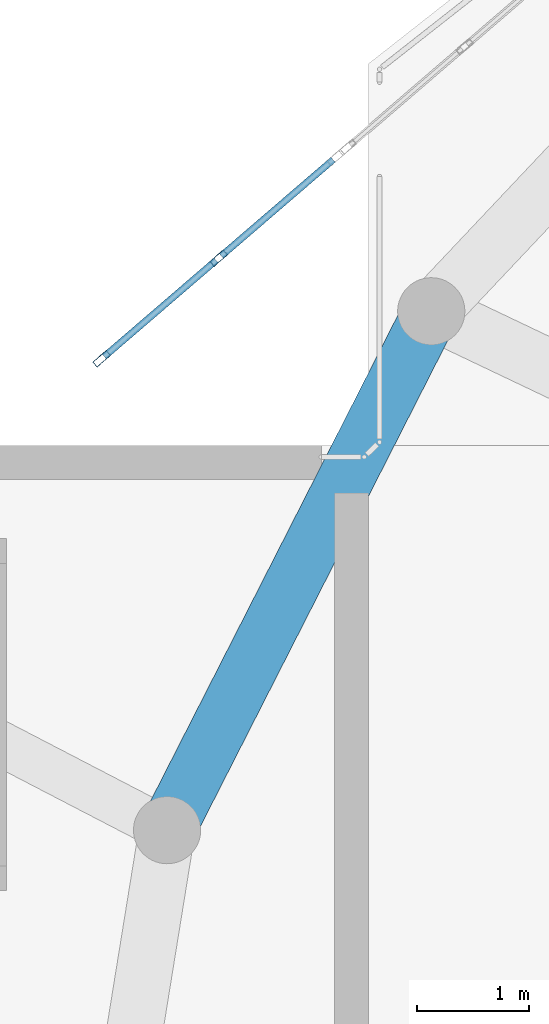
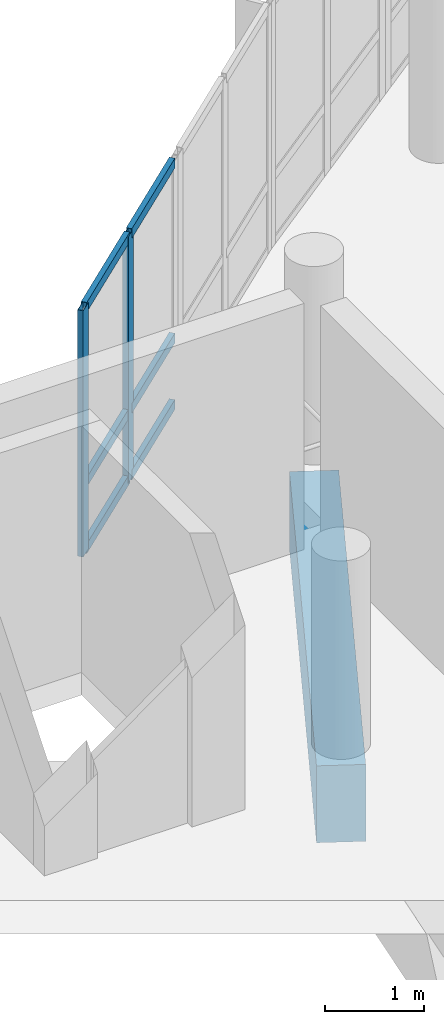
# One storey, part 13 of 43: 8 members, 1 beam, 1 element without a shape of its own.
"""IFC4 building model written with IfcOpenShell, lengths in metres."""

from ifc_helpers import new_model, si_unit, derived_unit, direction, frame, origin, origin_2d, place, context, subcontext, project, spatial, rectangle, hollow_rectangle, extrude, material, layer, layer_set, material_profile, profile_set, type_object, element, aggregate, save


model = new_model("IFC4")

# Units and contexts
model_context = context("Model", 3, precision=1e-05, world=origin(), true_north=direction((0.0, 1.0)))
body_context = subcontext(model_context, "Body", "Model", "MODEL_VIEW")
ifc_project = project(units=[si_unit("LENGTHUNIT", "METRE"), si_unit("AREAUNIT", "SQUARE_METRE"), si_unit("VOLUMEUNIT", "CUBIC_METRE"), si_unit("PLANEANGLEUNIT", "RADIAN"), si_unit("MASSUNIT", "GRAM", prefix="KILO"), derived_unit("THERMALTRANSMITTANCEUNIT", [(si_unit("POWERUNIT", "WATT"), 1), (si_unit("LENGTHUNIT", "METRE"), -2), (si_unit("THERMODYNAMICTEMPERATUREUNIT", "KELVIN"), -1)])], contexts=[model_context])

# Site, building, storey
site_placement = place(None, origin())
site = spatial("IfcSite", under=ifc_project, at=site_placement, CompositionType="ELEMENT")
building_placement = place(site_placement, origin())
building = spatial("IfcBuilding", under=site, at=building_placement, Name="Elbkamm Science Centre", CompositionType="ELEMENT")
storey_placement = place(building_placement, frame((0.0, 0.0, 18.300048828125)))
storey = spatial("IfcBuildingStorey", under=building, at=storey_placement, Name="L04", CompositionType="ELEMENT", Elevation=18.300048828125)

# Beam
ifc_material_1 = material(Name="Concrete C40/50", Category="concrete")
ifc_material_profile_1 = material_profile(ifc_material_1, rectangle(XDim=0.5, YDim=0.949951171875, at=origin_2d()), Name="RC 500x950")
ifc_profile_set_1 = profile_set([ifc_material_profile_1], Name="Concrete C40/50")
beam_type = type_object("IfcBeamType", Name="BM-RC-500x950", PredefinedType="BEAM", material=ifc_profile_set_1)
beam_placement = place(storey_placement, frame((42.56201171875, 76.800048828125, -0.755126953125), z_axis=(-0.453722384609, -0.891143084866, 0.0), x_axis=(0.891143084866, -0.453722384609, 0.0)))
element("IfcBeam", 1, at=beam_placement, inside=storey, type_object=beam_type, Name="L04 Elliptical Shell Perimeter Ring Beam 11", PredefinedType="SPANDREL", context=body_context, shape_type="SweptSolid", body=[
    extrude(rectangle(XDim=0.5, YDim=0.949951171875, at=origin_2d()), origin(), (0.0, 0.0, 1.0), 5.19677734375),
])

# Curtain wall, members
ifc_material_2 = material(Name="Powder-coated aluminium and triple low-E glazing", Category="aluminium")
ifc_layer = layer(ifc_material_2, 0.159912109375)
ifc_layer_set = layer_set([ifc_layer], Name="Powder-coated aluminium and triple low-E glazing")
curtain_wall_type = type_object("IfcCurtainWallType", Name="CW-UNIT-2820x3040", PredefinedType="USERDEFINED", material=ifc_layer_set)
curtain_wall_placement = place(storey_placement, origin())
curtain_wall = element("IfcCurtainWall", 2, at=curtain_wall_placement, inside=storey, type_object=curtain_wall_type, Name="L04 Unitised Curtain Wall 089", ObjectType="UNITISED CURTAIN WALL", PredefinedType="USERDEFINED")
ifc_material_3 = material(Name="Powder-coated aluminium EN AW-6060", Category="aluminium")
ifc_material_profile_2 = material_profile(ifc_material_3, hollow_rectangle(XDim=0.06005859375, YDim=0.159912109375, WallThickness=0.00390625, at=origin_2d()), Name="ALU M60x160")
ifc_profile_set_2 = profile_set([ifc_material_profile_2], Name="Powder-coated aluminium EN AW-6060")
member_type_1 = type_object("IfcMemberType", Name="CW-MUL-60x160", PredefinedType="MULLION", material=ifc_profile_set_2)
member_1_placement = place(storey_placement, frame((40.66455078125, 77.2744140625, 0.0), z_axis=(0.0, 0.0, 1.0), x_axis=(0.652109929172, -0.758124422687, 0.0)))
member_1 = element("IfcMember", 3, at=member_1_placement, type_object=member_type_1, Name="CW-042 mullion 2", PredefinedType="MULLION", context=body_context, shape_type="SweptSolid", body=[
    extrude(hollow_rectangle(XDim=0.06005859375, YDim=0.159912109375, WallThickness=0.00390625, at=origin_2d()), origin(), (0.0, 0.0, 1.0), 3.0400390625),
])
member_2_placement = place(storey_placement, frame((39.620361328125, 76.376220703125, 0.0), z_axis=(0.0, 0.0, 1.0), x_axis=(0.652109929172, -0.758124422687, 0.0)))
member_2 = element("IfcMember", 4, at=member_2_placement, type_object=member_type_1, Name="CW-042 mullion 3", PredefinedType="MULLION", context=body_context, shape_type="SweptSolid", body=[
    extrude(hollow_rectangle(XDim=0.06005859375, YDim=0.159912109375, WallThickness=0.00390625, at=origin_2d()), origin(), (0.0, 0.0, 1.0), 3.0400390625),
])
ifc_material_profile_3 = material_profile(ifc_material_3, hollow_rectangle(XDim=0.06005859375, YDim=0.1201171875, WallThickness=0.00341796875, at=origin_2d()), Name="ALU T60x120")
ifc_profile_set_3 = profile_set([ifc_material_profile_3], Name="Powder-coated aluminium EN AW-6060")
member_type_2 = type_object("IfcMemberType", Name="CW-TRN-60x120", PredefinedType="USERDEFINED", material=ifc_profile_set_3)
member_3_placement = place(storey_placement, frame((41.68603515625, 78.153076171875, 0.030029296875), z_axis=(-0.758038576114, -0.652209718666, 0.0), x_axis=(0.652209718666, -0.758038576114, 0.0)))
member_3 = element("IfcMember", 5, at=member_3_placement, type_object=member_type_2, Name="CW-042 transom 1.1", ObjectType="TRANSOM", PredefinedType="USERDEFINED", context=body_context, shape_type="SweptSolid", body=[
    extrude(hollow_rectangle(XDim=0.06005859375, YDim=0.1201171875, WallThickness=0.00341796875, at=origin_2d()), origin(), (0.0, 0.0, 1.0), 1.3173828125),
])
member_4_placement = place(storey_placement, frame((41.68603515625, 78.153076171875, 0.849853515625), z_axis=(-0.758038576114, -0.652209718666, 0.0), x_axis=(0.652209718666, -0.758038576114, 0.0)))
member_4 = element("IfcMember", 6, at=member_4_placement, type_object=member_type_2, Name="CW-042 transom 1.2", ObjectType="TRANSOM", PredefinedType="USERDEFINED", context=body_context, shape_type="SweptSolid", body=[
    extrude(hollow_rectangle(XDim=0.06005859375, YDim=0.1201171875, WallThickness=0.00341796875, at=origin_2d()), origin(), (0.0, 0.0, 1.0), 1.3173828125),
])
member_5_placement = place(storey_placement, frame((41.68603515625, 78.153076171875, 3.010009765625), z_axis=(-0.758038576114, -0.652209718666, 0.0), x_axis=(0.652209718666, -0.758038576114, 0.0)))
member_5 = element("IfcMember", 7, at=member_5_placement, type_object=member_type_2, Name="CW-042 transom 1.3", ObjectType="TRANSOM", PredefinedType="USERDEFINED", context=body_context, shape_type="SweptSolid", body=[
    extrude(hollow_rectangle(XDim=0.06005859375, YDim=0.1201171875, WallThickness=0.00341796875, at=origin_2d()), origin(), (0.0, 0.0, 1.0), 1.3173828125),
])
member_6_placement = place(storey_placement, frame((40.641845703125, 77.2548828125, 0.030029296875), z_axis=(-0.75811739876, -0.652118094901, 0.0), x_axis=(0.652118094901, -0.75811739876, 0.0)))
member_6 = element("IfcMember", 8, at=member_6_placement, type_object=member_type_2, Name="CW-042 transom 2.1", ObjectType="TRANSOM", PredefinedType="USERDEFINED", context=body_context, shape_type="SweptSolid", body=[
    extrude(hollow_rectangle(XDim=0.06005859375, YDim=0.1201171875, WallThickness=0.00341796875, at=origin_2d()), origin(), (0.0, 0.0, 1.0), 1.3173828125),
])
member_7_placement = place(storey_placement, frame((40.641845703125, 77.2548828125, 0.849853515625), z_axis=(-0.75811739876, -0.652118094901, 0.0), x_axis=(0.652118094901, -0.75811739876, 0.0)))
member_7 = element("IfcMember", 9, at=member_7_placement, type_object=member_type_2, Name="CW-042 transom 2.2", ObjectType="TRANSOM", PredefinedType="USERDEFINED", context=body_context, shape_type="SweptSolid", body=[
    extrude(hollow_rectangle(XDim=0.06005859375, YDim=0.1201171875, WallThickness=0.00341796875, at=origin_2d()), origin(), (0.0, 0.0, 1.0), 1.3173828125),
])
member_8_placement = place(storey_placement, frame((40.641845703125, 77.2548828125, 3.010009765625), z_axis=(-0.75811739876, -0.652118094901, 0.0), x_axis=(0.652118094901, -0.75811739876, 0.0)))
member_8 = element("IfcMember", 10, at=member_8_placement, type_object=member_type_2, Name="CW-042 transom 2.3", ObjectType="TRANSOM", PredefinedType="USERDEFINED", context=body_context, shape_type="SweptSolid", body=[
    extrude(hollow_rectangle(XDim=0.06005859375, YDim=0.1201171875, WallThickness=0.00341796875, at=origin_2d()), origin(), (0.0, 0.0, 1.0), 1.3173828125),
])
aggregate(curtain_wall, [member_1, member_2, member_3, member_4, member_5, member_6, member_7, member_8])

save(model, "model.ifc")
